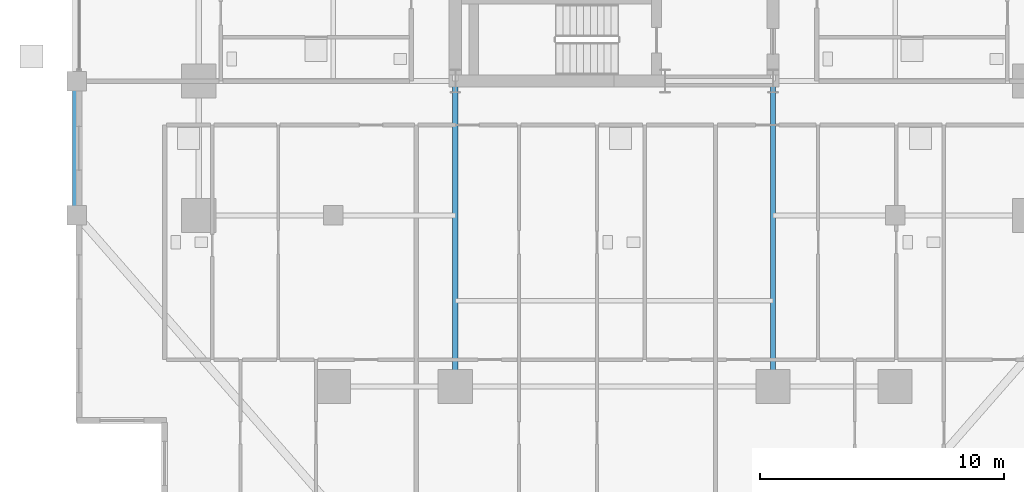
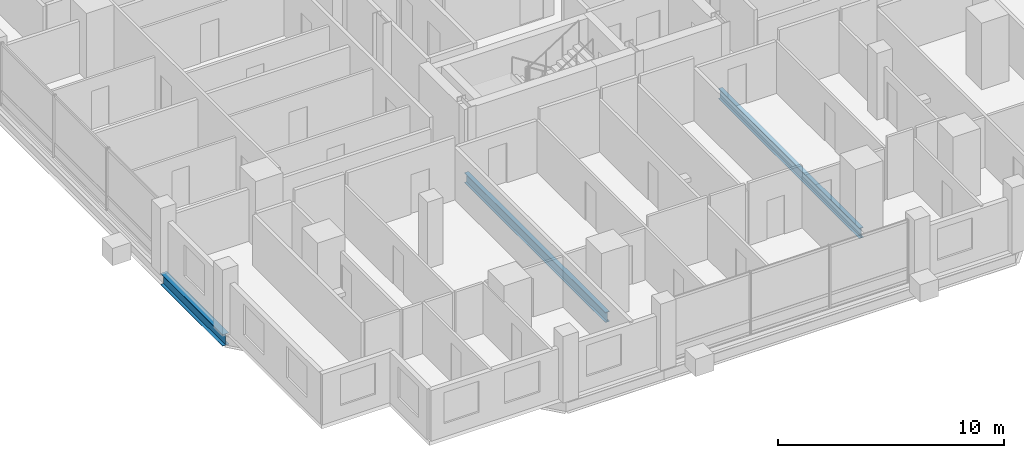
# One storey, part 3 of 24: 3 beams.
"""IFC4 building model written with IfcOpenShell, lengths in metres."""

import ifcopenshell
import ifcopenshell.guid

model = None  # the IFC model being written
_history = None  # IfcOwnerHistory: only IFC2X3 demands one
_inside = {}  # id of a spatial element -> (the spatial element, [elements in it])
_under = {}  # id of a project, library or spatial element -> (it, [spatial elements below it])
_declared = {}  # id of a project -> (the project, [libraries it declares])
_typed = {}  # id of a type object -> (the type object, [elements of that type])
_made_of = {}  # id of a material, layer set ... -> (it, [elements and type objects made of it])


def new_model(schema):
    """Start an empty IFC model of exactly this schema.

    Asked for "IFC4X3", IfcOpenShell would pick the latest addendum, in which some entities
    have other attributes; the version numbers below select the first issue.
    IFC2X3 requires an IfcOwnerHistory on every rooted entity: one is made here for all.
    """
    global model, _history
    if schema == "IFC4X3":
        model = ifcopenshell.file(schema_version=(4, 3, 0, 0))
    else:
        model = ifcopenshell.file(schema=schema)
    _inside.clear()
    _under.clear()
    _declared.clear()
    _typed.clear()
    _made_of.clear()
    _history = None
    if model.schema == "IFC2X3":
        org = make("IfcOrganization", Name="unknown")
        user = make(
            "IfcPersonAndOrganization",
            ThePerson=make("IfcPerson", FamilyName="unknown"),
            TheOrganization=org,
        )
        app = make(
            "IfcApplication",
            ApplicationDeveloper=org,
            Version="unknown",
            ApplicationFullName="unknown",
            ApplicationIdentifier="unknown",
        )
        _history = make(
            "IfcOwnerHistory",
            OwningUser=user,
            OwningApplication=app,
            ChangeAction="ADDED",
            CreationDate=0,
        )
    return model


def make(cls, **values):
    """One entity of the class cls with the attributes given. An attribute that is None is left unset."""
    return model.create_entity(
        cls, **{name: value for name, value in values.items() if value is not None}
    )


def rooted(cls, **values):
    """An entity with a GlobalId (a new one), such as an element, a storey or a relation."""
    return make(cls, GlobalId=ifcopenshell.guid.new(), OwnerHistory=_history, **values)


def si_unit(unit_type, name, prefix=None):
    """IfcSIUnit, for example si_unit("LENGTHUNIT", "METRE", prefix="MILLI")."""
    return make("IfcSIUnit", UnitType=unit_type, Prefix=prefix, Name=name)


def assignment(units):
    """IfcUnitAssignment: the units of a project."""
    return None if units is None else make("IfcUnitAssignment", Units=units)


def point(xyz):
    """IfcCartesianPoint."""
    return None if xyz is None else make("IfcCartesianPoint", Coordinates=xyz)


def direction(xyz):
    """IfcDirection."""
    return None if xyz is None else make("IfcDirection", DirectionRatios=xyz)


def frame(location, z_axis=None, x_axis=None):
    """IfcAxis2Placement3D, a coordinate frame: its origin and axes. An axis left out is left unset."""
    return make(
        "IfcAxis2Placement3D",
        Location=point(location),
        Axis=direction(z_axis),
        RefDirection=direction(x_axis),
    )


def frame_2d(location, x_axis=None):
    """IfcAxis2Placement2D, a coordinate frame in the plane: its origin and x axis."""
    return make(
        "IfcAxis2Placement2D", Location=point(location), RefDirection=direction(x_axis)
    )


def origin():
    """The frame at (0, 0, 0) with its axes left unset."""
    return frame((0.0, 0.0, 0.0))


def origin_2d():
    """The frame at (0, 0) in the plane with its x axis left unset."""
    return frame_2d((0.0, 0.0))


def place(relative_to, where):
    """IfcLocalPlacement: puts the frame where relative to a parent placement (None: the world)."""
    return make(
        "IfcLocalPlacement", PlacementRelTo=relative_to, RelativePlacement=where
    )


def context(
    kind, dimensions, precision=None, world=None, true_north=None, identifier=None
):
    """IfcGeometricRepresentationContext, for example the 3D "Model" context."""
    return make(
        "IfcGeometricRepresentationContext",
        ContextIdentifier=identifier,
        ContextType=kind,
        CoordinateSpaceDimension=dimensions,
        Precision=precision,
        WorldCoordinateSystem=world,
        TrueNorth=true_north,
    )


def subcontext(parent, identifier, kind, view, scale=None):
    """IfcGeometricRepresentationSubContext, for example "Body" below "Model"."""
    return make(
        "IfcGeometricRepresentationSubContext",
        ContextIdentifier=identifier,
        ContextType=kind,
        ParentContext=parent,
        TargetScale=scale,
        TargetView=view,
    )


def project(units=None, contexts=None):
    """IfcProject with its units and contexts."""
    return rooted(
        "IfcProject",
        Name="project",
        RepresentationContexts=contexts,
        UnitsInContext=assignment(units),
    )


def spatial(cls, under=None, at=None, **own):
    """A site, building, storey or space (cls), placed at a placement, below another one or the project."""
    s = rooted(cls, ObjectPlacement=at, **own)
    if under is not None:
        _under.setdefault(under.id(), (under, []))[1].append(s)
    return s


def profile(cls, at=None, kind="AREA", **sizes):
    """A parametric profile (cls). Its sizes go by their IFC names, for example OverallWidth=200.0."""
    return make(cls, ProfileType=kind, Position=at, **sizes)


def i_section(**sizes):
    """IfcIShapeProfileDef."""
    return profile("IfcIShapeProfileDef", **sizes)


def extrude(swept, where, along, depth):
    """IfcExtrudedAreaSolid: the profile swept, set in the frame where, extruded along a direction by depth."""
    return make(
        "IfcExtrudedAreaSolid",
        SweptArea=swept,
        Position=where,
        ExtrudedDirection=direction(along),
        Depth=depth,
    )


def shape(context_of_items, identifier, shape_type, items):
    """IfcShapeRepresentation: the items that make up one representation, for example the "Body"."""
    return make(
        "IfcShapeRepresentation",
        ContextOfItems=context_of_items,
        RepresentationIdentifier=identifier,
        RepresentationType=shape_type,
        Items=items,
    )


def material(Name=None, Category=None):
    """IfcMaterial."""
    return make("IfcMaterial", Name=Name, Category=Category)


def material_profile(
    of_material, cross_section, Name=None, Category=None, Priority=None
):
    """IfcMaterialProfile: a cross section and its material."""
    return make(
        "IfcMaterialProfile",
        Name=Name,
        Material=of_material,
        Profile=cross_section,
        Priority=Priority,
        Category=Category,
    )


def profile_set(profiles, Name=None, composite=None):
    """IfcMaterialProfileSet."""
    return make(
        "IfcMaterialProfileSet",
        Name=Name,
        MaterialProfiles=profiles,
        CompositeProfile=composite,
    )


def made_of(thing, what):
    """Note that an element or type object is made of a material, layer set ...; save() writes the relation."""
    if what is not None:
        _made_of.setdefault(what.id(), (what, []))[1].append(thing)
    return thing


def type_object(cls, material=None, **own):
    """A type object (cls), such as IfcWallType, which elements share."""
    return made_of(rooted(cls, **own), material)


def element(
    cls,
    number,
    at=None,
    inside=None,
    cuts=None,
    type_object=None,
    material=None,
    context=None,
    identifier="Body",
    shape_type=None,
    held_by="IfcProductDefinitionShape",
    body=None,
    shapes=None,
    **own,
):
    """One element of the class cls, such as IfcWall. Its Tag is "e" and its number.

    at: its placement. inside: the storey or other place that contains it. cuts: it is an
    opening in that element (IfcRelVoidsElement). A single representation is given by context,
    identifier, shape_type and body (its items); several are given by shapes. held_by: the class
    of the entity that holds the representations. save() writes the other relations.
    """
    e = rooted(cls, Tag="e%d" % number, ObjectPlacement=at, **own)
    if body is not None:
        shapes = [shape(context, identifier, shape_type, body)]
    if shapes is not None:
        e.Representation = make(held_by, Representations=shapes)
    if inside is not None:
        _inside.setdefault(inside.id(), (inside, []))[1].append(e)
    if cuts is not None:
        rooted(
            "IfcRelVoidsElement", RelatingBuildingElement=cuts, RelatedOpeningElement=e
        )
    if type_object is not None:
        _typed.setdefault(type_object.id(), (type_object, []))[1].append(e)
    return made_of(e, material)


def aggregate(whole, parts):
    """IfcRelAggregates: a whole, such as a stair, and the parts it consists of."""
    return rooted("IfcRelAggregates", RelatingObject=whole, RelatedObjects=parts)


def save(model, path):
    """Write the relations noted so far, then the file.

    IfcRelAggregates (storeys below a building ...), IfcRelContainedInSpatialStructure (elements
    in a storey), IfcRelDefinesByType, IfcRelAssociatesMaterial and IfcRelDeclares: one each for
    every whole, place, type object, material and project.
    """
    for whole, parts in _under.values():
        aggregate(whole, parts)
    for where, things in _inside.values():
        rooted(
            "IfcRelContainedInSpatialStructure",
            RelatedElements=things,
            RelatingStructure=where,
        )
    for kind, things in _typed.values():
        rooted("IfcRelDefinesByType", RelatedObjects=things, RelatingType=kind)
    for what, things in _made_of.values():
        rooted("IfcRelAssociatesMaterial", RelatedObjects=things, RelatingMaterial=what)
    for by, libraries in _declared.values():
        rooted("IfcRelDeclares", RelatingContext=by, RelatedDefinitions=libraries)
    model.write(path)


model = new_model("IFC4")

# Units and contexts
model_context = context("Model", 3, precision=1e-05, world=origin(), true_north=direction((0.0, 1.0)))
body_context = subcontext(model_context, "Body", "Model", "MODEL_VIEW")
ifc_project = project(units=[si_unit("LENGTHUNIT", "METRE"), si_unit("AREAUNIT", "SQUARE_METRE"), si_unit("VOLUMEUNIT", "CUBIC_METRE"), si_unit("PLANEANGLEUNIT", "RADIAN"), si_unit("MASSUNIT", "GRAM", prefix="KILO")], contexts=[model_context])

# Site, building, storey
site_placement = place(None, origin())
site = spatial("IfcSite", under=ifc_project, at=site_placement, CompositionType="ELEMENT")
building_placement = place(site_placement, origin())
building = spatial("IfcBuilding", under=site, at=building_placement, Name="Barlavira Tower and Art Museum", CompositionType="ELEMENT")
storey_placement = place(building_placement, frame((0.0, 0.0, 32.39990234375)))
storey = spatial("IfcBuildingStorey", under=building, at=storey_placement, Name="L06", CompositionType="ELEMENT", Elevation=32.39990234375)

# Beams
ifc_material = material(Name="Steel S355", Category="steel")
ifc_material_profile_1 = material_profile(ifc_material, i_section(OverallWidth=0.327880859375, OverallDepth=0.62890625, WebThickness=0.013916015625, FlangeThickness=0.021484375, at=origin_2d()), Name="W610x174.0")
ifc_profile_set_1 = profile_set([ifc_material_profile_1], Name="Steel S355")
beam_type_1 = type_object("IfcBeamType", Name="Perimeter Spandrel Edge Beam W610x174 Steel S355", PredefinedType="SPANDREL", material=ifc_profile_set_1)
beam_placement = place(storey_placement, frame((-22.0, -13.0, -0.534423828125), z_axis=(0.0, 1.0, 0.0), x_axis=(-1.0, 0.0, 0.0)))
element("IfcBeam", 1, at=beam_placement, inside=storey, type_object=beam_type_1, Name="L06 Spandrel 15", PredefinedType="SPANDREL", context=body_context, shape_type="SweptSolid", body=[
    extrude(i_section(OverallWidth=0.327880859375, OverallDepth=0.62890625, WebThickness=0.013916015625, FlangeThickness=0.021484375, at=origin_2d()), origin(), (0.0, 0.0, 1.0), 5.5),
])
ifc_material_profile_2 = material_profile(ifc_material, i_section(OverallWidth=0.214111328125, OverallDepth=0.549072265625, WebThickness=0.0146484375, FlangeThickness=0.023681640625, at=origin_2d()), Name="W530x138.0")
ifc_profile_set_2 = profile_set([ifc_material_profile_2], Name="Steel S355")
beam_type_2 = type_object("IfcBeamType", Name="Zone 1 Primary Floor Girder W530x138 Steel S355", PredefinedType="BEAM", material=ifc_profile_set_2)
for number, where, z_axis, x_axis, name in (
    (2, (-6.5, -20.0, -0.494384765625), (0.0, 1.0, 0.0), (-1.0, 0.0, 0.0), "L06 Girder R-S1"),
    (3, (6.5, -20.0, -0.494384765625), (0.0, 1.0, 0.0), (-1.0, 0.0, 0.0), "L06 Girder R-S2"),
):
    element("IfcBeam", number, at=place(storey_placement, frame(where, z_axis=z_axis, x_axis=x_axis)), inside=storey, type_object=beam_type_2, Name=name, PredefinedType="BEAM", context=body_context, shape_type="SweptSolid", body=[
        extrude(i_section(OverallWidth=0.214111328125, OverallDepth=0.549072265625, WebThickness=0.0146484375, FlangeThickness=0.023681640625, at=origin_2d()), origin(), (0.0, 0.0, 1.0), 12.5),
    ])

save(model, "model.ifc")
